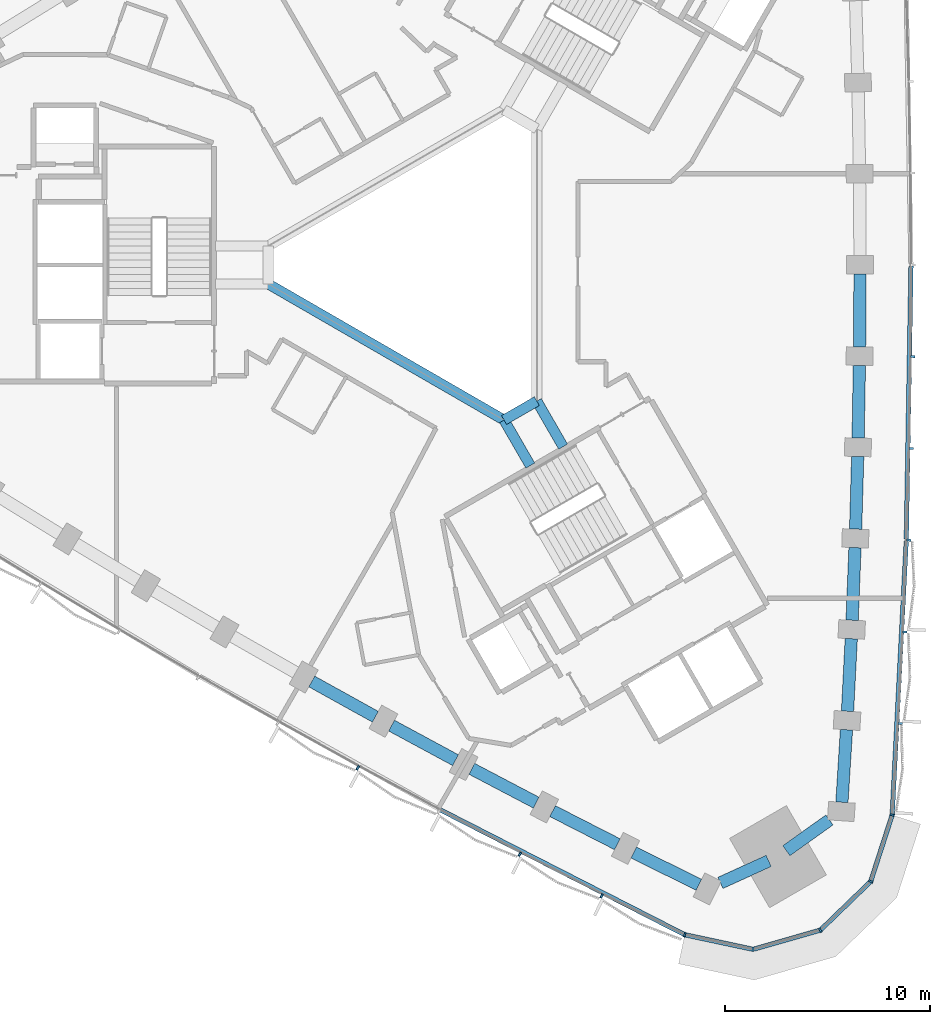
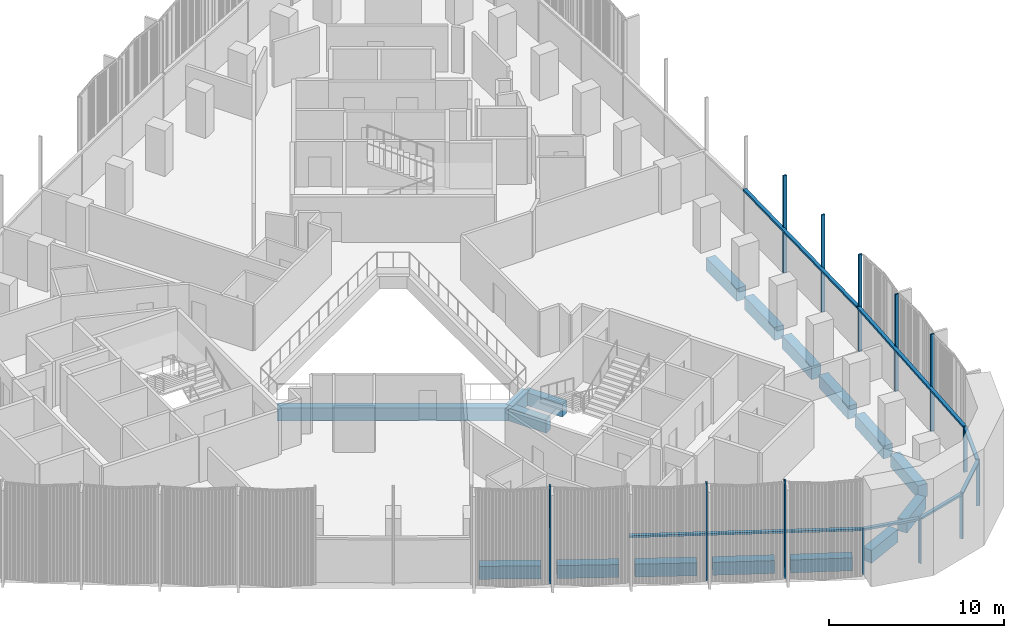
# One storey, part 3 of 15: 20 members, 17 beams, 2 elements without a shape of their own.
"""IFC4 building model written with IfcOpenShell, lengths in metres."""

from ifc_helpers import new_model, si_unit, direction, frame, origin, origin_2d, place, context, subcontext, project, spatial, rectangle, extrude, material, material_profile, profile_set, type_object, element, aggregate, save


model = new_model("IFC4")

# Units and contexts
model_context = context("Model", 3, precision=1e-05, world=origin(), true_north=direction((0.0, 1.0)))
body_context = subcontext(model_context, "Body", "Model", "MODEL_VIEW")
ifc_project = project(units=[si_unit("LENGTHUNIT", "METRE"), si_unit("AREAUNIT", "SQUARE_METRE"), si_unit("VOLUMEUNIT", "CUBIC_METRE"), si_unit("PLANEANGLEUNIT", "RADIAN"), si_unit("MASSUNIT", "GRAM", prefix="KILO")], contexts=[model_context])

# Site, building, storey
site_placement = place(None, origin())
site = spatial("IfcSite", under=ifc_project, at=site_placement, CompositionType="ELEMENT")
building_placement = place(site_placement, origin())
building = spatial("IfcBuilding", under=site, at=building_placement, Name="Tamra Quay Hotel Tower", CompositionType="ELEMENT")
storey_placement = place(building_placement, frame((0.0, 0.0, 101.0)))
storey = spatial("IfcBuildingStorey", under=building, at=storey_placement, Name="L24", CompositionType="ELEMENT", Elevation=101.0)

# Beams
ifc_material_1 = material(Name="Concrete M60", Category="concrete")
ifc_material_profile_1 = material_profile(ifc_material_1, rectangle(XDim=0.5, YDim=0.89990234375, at=origin_2d()), Name="ATRIUM EDGE BEAM RC 500x900")
ifc_profile_set_1 = profile_set([ifc_material_profile_1], Name="Concrete M60")
beam_type_1 = type_object("IfcBeamType", Name="ATRIUM EDGE BEAM RC 500x900", PredefinedType="BEAM", material=ifc_profile_set_1)
beam_1_placement = place(storey_placement, frame((4.89990234375, -6.639404296875, -0.875), z_axis=(-0.865989712182, -0.500061814573, 0.0), x_axis=(0.500061814573, -0.865989712182, 0.0)))
element("IfcBeam", 1, at=beam_1_placement, inside=storey, type_object=beam_type_1, Name="BM-AB1-L24", PredefinedType="BEAM", context=body_context, shape_type="SweptSolid", body=[
    extrude(rectangle(XDim=0.5, YDim=0.89990234375, at=origin_2d()), origin(), (0.0, 0.0, 1.0), 1.847412109375),
])
beam_2_placement = place(storey_placement, frame((3.300048828125, -7.563232421875, -0.875), z_axis=(-0.866029440693, 0.499993007805, 0.0), x_axis=(-0.499993007805, -0.866029440693, 0.0)))
element("IfcBeam", 2, at=beam_2_placement, inside=storey, type_object=beam_type_1, Name="BM-AB2-L24", PredefinedType="BEAM", context=body_context, shape_type="SweptSolid", body=[
    extrude(rectangle(XDim=0.5, YDim=0.89990234375, at=origin_2d()), origin(), (0.0, 0.0, 1.0), 13.279052734375),
])
ifc_material_profile_2 = material_profile(ifc_material_1, rectangle(XDim=0.5, YDim=0.89990234375, at=origin_2d()), Name="ATRIUM TIE BEAM RC 500x900")
ifc_profile_set_2 = profile_set([ifc_material_profile_2], Name="Concrete M60")
beam_type_2 = type_object("IfcBeamType", Name="ATRIUM TIE BEAM RC 500x900", PredefinedType="BEAM", material=ifc_profile_set_2)
for number, where, z_axis, x_axis, name in (
    (3, (4.89990234375, -6.639404296875, -0.875), (0.50003311468, -0.866006284171, 0.0), (0.866006284171, 0.50003311468, 0.0), "BM-TIE-1-L24"),
    (4, (3.300048828125, -7.563232421875, -0.875), (0.499961652204, -0.866047542763, 0.0), (0.866047542763, 0.499961652204, 0.0), "BM-TIE-2-L24"),
):
    element("IfcBeam", number, at=place(storey_placement, frame(where, z_axis=z_axis, x_axis=x_axis)), inside=storey, type_object=beam_type_2, Name=name, PredefinedType="BEAM", context=body_context, shape_type="SweptSolid", body=[
        extrude(rectangle(XDim=0.5, YDim=0.89990234375, at=origin_2d()), origin(), (0.0, 0.0, 1.0), 2.562255859375),
    ])

# Curtain wall, members
ifc_material_2 = material(Name="Aluminium 6063 anodised dark grey", Category="aluminium")
curtain_wall_type_1 = type_object("IfcCurtainWallType", Name="CW1 CURTAIN WALL", PredefinedType="NOTDEFINED", material=ifc_material_2)
curtain_wall_1_placement = place(storey_placement, origin())
curtain_wall_1 = element("IfcCurtainWall", 5, at=curtain_wall_1_placement, inside=storey, type_object=curtain_wall_type_1, Name="CW1 east face L24", PredefinedType="NOTDEFINED")
ifc_material_profile_3 = material_profile(ifc_material_2, rectangle(XDim=0.219970703125, YDim=0.10009765625, at=origin_2d()), Name="MULLION 100X220")
ifc_profile_set_3 = profile_set([ifc_material_profile_3], Name="Aluminium 6063 anodised dark grey")
member_type_1 = type_object("IfcMemberType", Name="MULLION CW1 Z2", PredefinedType="MULLION", material=ifc_profile_set_3)
member_1_placement = place(storey_placement, frame((22.226318359375, -26.81787109375, 0.0), z_axis=(0.0, 0.0, 1.0), x_axis=(0.982419091866, -0.186688853275, 0.0)))
member_1 = element("IfcMember", 6, at=member_1_placement, type_object=member_type_1, Name="CW1 mullion L24.E.1", PredefinedType="MULLION", context=body_context, shape_type="SweptSolid", body=[
    extrude(rectangle(XDim=0.219970703125, YDim=0.10009765625, at=origin_2d()), origin(), (0.0, 0.0, 1.0), 3.175048828125),
])
member_2_placement = place(storey_placement, frame((22.616455078125, -22.3603515625, 0.0), z_axis=(0.0, 0.0, 1.0), x_axis=(0.998374392587, -0.056996247479, 0.0)))
member_2 = element("IfcMember", 7, at=member_2_placement, type_object=member_type_1, Name="CW1 mullion L24.E.2", PredefinedType="MULLION", context=body_context, shape_type="SweptSolid", body=[
    extrude(rectangle(XDim=0.219970703125, YDim=0.10009765625, at=origin_2d()), origin(), (0.0, 0.0, 1.0), 6.77490234375),
])
member_3_placement = place(storey_placement, frame((22.84619140625, -17.891845703125, 0.0), z_axis=(0.0, 0.0, 1.0), x_axis=(0.998958269731, -0.045633050909, 0.0)))
member_3 = element("IfcMember", 8, at=member_3_placement, type_object=member_type_1, Name="CW1 mullion L24.E.3", PredefinedType="MULLION", context=body_context, shape_type="SweptSolid", body=[
    extrude(rectangle(XDim=0.219970703125, YDim=0.10009765625, at=origin_2d()), origin(), (0.0, 0.0, 1.0), 6.77490234375),
])
member_4_placement = place(storey_placement, frame((23.02490234375, -13.4208984375, 0.0), z_axis=(0.0, 0.0, 1.0), x_axis=(0.999413445306, -0.034245661637, 0.0)))
member_4 = element("IfcMember", 9, at=member_4_placement, type_object=member_type_1, Name="CW1 mullion L24.E.4", PredefinedType="MULLION", context=body_context, shape_type="SweptSolid", body=[
    extrude(rectangle(XDim=0.219970703125, YDim=0.10009765625, at=origin_2d()), origin(), (0.0, 0.0, 1.0), 6.77490234375),
])
member_5_placement = place(storey_placement, frame((23.152587890625, -8.9482421875, 0.0), z_axis=(0.0, 0.0, 1.0), x_axis=(0.99973912156, -0.022840508384, 0.0)))
member_5 = element("IfcMember", 10, at=member_5_placement, type_object=member_type_1, Name="CW1 mullion L24.E.5", PredefinedType="MULLION", context=body_context, shape_type="SweptSolid", body=[
    extrude(rectangle(XDim=0.219970703125, YDim=0.10009765625, at=origin_2d()), origin(), (0.0, 0.0, 1.0), 6.77490234375),
])
member_6_placement = place(storey_placement, frame((23.229248046875, -4.474365234375, 0.0), z_axis=(0.0, 0.0, 1.0), x_axis=(0.999934749621, -0.011423506449, 0.0)))
member_6 = element("IfcMember", 11, at=member_6_placement, type_object=member_type_1, Name="CW1 mullion L24.E.6", PredefinedType="MULLION", context=body_context, shape_type="SweptSolid", body=[
    extrude(rectangle(XDim=0.219970703125, YDim=0.10009765625, at=origin_2d()), origin(), (0.0, 0.0, 1.0), 6.77490234375),
])

curtain_wall_type_2 = type_object("IfcCurtainWallType", Name="CW3 CURTAIN WALL", PredefinedType="NOTDEFINED", material=ifc_material_2)
curtain_wall_2_placement = place(storey_placement, origin())
curtain_wall_2 = element("IfcCurtainWall", 12, at=curtain_wall_2_placement, inside=storey, type_object=curtain_wall_type_2, Name="CW3 south-west face L24", PredefinedType="NOTDEFINED")
ifc_material_profile_4 = material_profile(ifc_material_2, rectangle(XDim=0.219970703125, YDim=0.10009765625, at=origin_2d()), Name="MULLION 100X220")
ifc_profile_set_4 = profile_set([ifc_material_profile_4], Name="Aluminium 6063 anodised dark grey")
member_type_2 = type_object("IfcMemberType", Name="MULLION CW3 Z2", PredefinedType="MULLION", material=ifc_profile_set_4)
member_7_placement = place(storey_placement, frame((-3.826904296875, -24.52490234375, 0.0), z_axis=(0.0, 0.0, 1.0), x_axis=(-0.480089100284, -0.87721973062, 0.0)))
member_7 = element("IfcMember", 13, at=member_7_placement, type_object=member_type_2, Name="CW3 mullion L24.SW.9", PredefinedType="MULLION", context=body_context, shape_type="SweptSolid", body=[
    extrude(rectangle(XDim=0.219970703125, YDim=0.10009765625, at=origin_2d()), origin(), (0.0, 0.0, 1.0), 6.77490234375),
])
member_8_placement = place(storey_placement, frame((4.07177734375, -28.731201171875, 0.0), z_axis=(0.0, 0.0, 1.0), x_axis=(-0.459959753526, -0.887939764362, 0.0)))
member_8 = element("IfcMember", 14, at=member_8_placement, type_object=member_type_2, Name="CW3 mullion L24.SW.11", PredefinedType="MULLION", context=body_context, shape_type="SweptSolid", body=[
    extrude(rectangle(XDim=0.219970703125, YDim=0.10009765625, at=origin_2d()), origin(), (0.0, 0.0, 1.0), 6.77490234375),
])
member_9_placement = place(storey_placement, frame((8.056396484375, -30.7666015625, 0.0), z_axis=(0.0, 0.0, 1.0), x_axis=(-0.449826998056, -0.893115710208, 0.0)))
member_9 = element("IfcMember", 15, at=member_9_placement, type_object=member_type_2, Name="CW3 mullion L24.SW.12", PredefinedType="MULLION", context=body_context, shape_type="SweptSolid", body=[
    extrude(rectangle(XDim=0.219970703125, YDim=0.10009765625, at=origin_2d()), origin(), (0.0, 0.0, 1.0), 6.77490234375),
])
member_10_placement = place(storey_placement, frame((12.111572265625, -32.657470703125, 0.0), z_axis=(0.0, 0.0, 1.0), x_axis=(-0.329532256394, -0.944144317356, 0.0)))
member_10 = element("IfcMember", 16, at=member_10_placement, type_object=member_type_2, Name="CW3 mullion L24.SW.13", PredefinedType="MULLION", context=body_context, shape_type="SweptSolid", body=[
    extrude(rectangle(XDim=0.219970703125, YDim=0.10009765625, at=origin_2d()), origin(), (0.0, 0.0, 1.0), 3.175048828125),
])
member_11_placement = place(storey_placement, frame((15.4462890625, -33.370849609375, 0.0), z_axis=(0.0, 0.0, 1.0), x_axis=(0.03404070031, -0.999420447421, 0.0)))
member_11 = element("IfcMember", 17, at=member_11_placement, type_object=member_type_2, Name="CW3 mullion L24.SW.14", PredefinedType="MULLION", context=body_context, shape_type="SweptSolid", body=[
    extrude(rectangle(XDim=0.219970703125, YDim=0.10009765625, at=origin_2d()), origin(), (0.0, 0.0, 1.0), 3.175048828125),
])
member_12_placement = place(storey_placement, frame((18.724853515625, -32.43212890625, 0.0), z_axis=(0.0, 0.0, 1.0), x_axis=(0.5, -0.866025403784, 0.0)))
member_12 = element("IfcMember", 18, at=member_12_placement, type_object=member_type_2, Name="CW3 mullion L24.SW.15", PredefinedType="MULLION", context=body_context, shape_type="SweptSolid", body=[
    extrude(rectangle(XDim=0.219970703125, YDim=0.10009765625, at=origin_2d()), origin(), (0.0, 0.0, 1.0), 3.175048828125),
])
member_13_placement = place(storey_placement, frame((21.1767578125, -30.062255859375, 0.0), z_axis=(0.0, 0.0, 1.0), x_axis=(0.848503146373, -0.529190334941, 0.0)))
member_13 = element("IfcMember", 19, at=member_13_placement, type_object=member_type_2, Name="CW3 mullion L24.SW.16", PredefinedType="MULLION", context=body_context, shape_type="SweptSolid", body=[
    extrude(rectangle(XDim=0.219970703125, YDim=0.10009765625, at=origin_2d()), origin(), (0.0, 0.0, 1.0), 3.175048828125),
])

# Beams
ifc_material_profile_5 = material_profile(ifc_material_1, rectangle(XDim=0.60009765625, YDim=0.89990234375, at=origin_2d()), Name="SPANDREL BEAM RC 600x900")
ifc_profile_set_5 = profile_set([ifc_material_profile_5], Name="Concrete M60")
beam_type_3 = type_object("IfcBeamType", Name="SPANDREL BEAM RC 600x900", PredefinedType="SPANDREL", material=ifc_profile_set_5)
beam_3_placement = place(storey_placement, frame((19.7744140625, -26.199462890625, -0.875), z_axis=(0.062669833409, 0.99803431403, 0.0), x_axis=(-0.99803431403, 0.062669833409, 0.0)))
element("IfcBeam", 20, at=beam_3_placement, inside=storey, type_object=beam_type_3, Name="BM-SP2-000-L24", PredefinedType="SPANDREL", context=body_context, shape_type="SweptSolid", body=[
    extrude(rectangle(XDim=0.60009765625, YDim=0.89990234375, at=origin_2d()), origin(), (0.0, 0.0, 1.0), 3.545166015625),
])
beam_4_placement = place(storey_placement, frame((20.048095703125, -21.7626953125, -0.875), z_axis=(0.051311627905, 0.998682690769, 0.0), x_axis=(-0.998682690769, 0.051311627905, 0.0)))
element("IfcBeam", 21, at=beam_4_placement, inside=storey, type_object=beam_type_3, Name="BM-SP2-001-L24", PredefinedType="SPANDREL", context=body_context, shape_type="SweptSolid", body=[
    extrude(rectangle(XDim=0.60009765625, YDim=0.89990234375, at=origin_2d()), origin(), (0.0, 0.0, 1.0), 3.544677734375),
])
for number, where, z_axis, x_axis, name in (
    (22, (20.27099609375, -17.323486328125, -0.875), (0.039946034354, 0.999201838639, 0.0), (-0.999201838639, 0.039946034354, 0.0), "BM-SP2-002-L24"),
    (23, (20.443359375, -12.882080078125, -0.875), (0.02858140136, 0.999591468299, 0.0), (-0.999591468299, 0.02858140136, 0.0), "BM-SP2-003-L24"),
):
    element("IfcBeam", number, at=place(storey_placement, frame(where, z_axis=z_axis, x_axis=x_axis)), inside=storey, type_object=beam_type_3, Name=name, PredefinedType="SPANDREL", context=body_context, shape_type="SweptSolid", body=[
        extrude(rectangle(XDim=0.60009765625, YDim=0.89990234375, at=origin_2d()), origin(), (0.0, 0.0, 1.0), 3.544921875),
    ])
beam_5_placement = place(storey_placement, frame((20.565185546875, -8.43896484375, -0.875), z_axis=(0.017149781635, 0.99985293168, 0.0), x_axis=(-0.99985293168, 0.017149781635, 0.0)))
element("IfcBeam", 24, at=beam_5_placement, inside=storey, type_object=beam_type_3, Name="BM-SP2-004-L24", PredefinedType="SPANDREL", context=body_context, shape_type="SweptSolid", body=[
    extrude(rectangle(XDim=0.60009765625, YDim=0.89990234375, at=origin_2d()), origin(), (0.0, 0.0, 1.0), 3.544677734375),
])
for number, where, z_axis, x_axis, name in (
    (25, (20.63623046875, -3.994873046875, -0.875), (0.005716160055, 0.999983662624, 0.0), (-0.999983662624, 0.005716160055, 0.0), "BM-SP2-005-L24"),
    (26, (-6.073974609375, -20.309814453125, -0.875), (0.874475461638, -0.48506975477, 0.0), (0.48506975477, 0.874475461638, 0.0), "BM-SP2-035-L24"),
    (27, (-2.184814453125, -22.46142578125, -0.875), (0.879950887438, -0.475064664753, 0.0), (0.475064664753, 0.879950887438, 0.0), "BM-SP2-036-L24"),
):
    element("IfcBeam", number, at=place(storey_placement, frame(where, z_axis=z_axis, x_axis=x_axis)), inside=storey, type_object=beam_type_3, Name=name, PredefinedType="SPANDREL", context=body_context, shape_type="SweptSolid", body=[
        extrude(rectangle(XDim=0.60009765625, YDim=0.89990234375, at=origin_2d()), origin(), (0.0, 0.0, 1.0), 3.544921875),
    ])
beam_6_placement = place(storey_placement, frame((1.72900390625, -24.568603515625, -0.875), z_axis=(0.885322773021, -0.464976975312, 0.0), x_axis=(0.464976975312, 0.885322773021, 0.0)))
element("IfcBeam", 28, at=beam_6_placement, inside=storey, type_object=beam_type_3, Name="BM-SP2-037-L24", PredefinedType="SPANDREL", context=body_context, shape_type="SweptSolid", body=[
    extrude(rectangle(XDim=0.60009765625, YDim=0.89990234375, at=origin_2d()), origin(), (0.0, 0.0, 1.0), 3.544677734375),
])
beam_7_placement = place(storey_placement, frame((5.666259765625, -26.630859375, -0.875), z_axis=(0.890551251107, -0.45488291807, 0.0), x_axis=(0.45488291807, 0.890551251107, 0.0)))
element("IfcBeam", 29, at=beam_7_placement, inside=storey, type_object=beam_type_3, Name="BM-SP2-038-L24", PredefinedType="SPANDREL", context=body_context, shape_type="SweptSolid", body=[
    extrude(rectangle(XDim=0.60009765625, YDim=0.89990234375, at=origin_2d()), origin(), (0.0, 0.0, 1.0), 3.544921875),
])
beam_8_placement = place(storey_placement, frame((9.626953125, -28.648193359375, -0.875), z_axis=(0.895622275285, -0.444815399928, 0.0), x_axis=(0.444815399928, 0.895622275285, 0.0)))
element("IfcBeam", 30, at=beam_8_placement, inside=storey, type_object=beam_type_3, Name="BM-SP2-039-L24", PredefinedType="SPANDREL", context=body_context, shape_type="SweptSolid", body=[
    extrude(rectangle(XDim=0.60009765625, YDim=0.89990234375, at=origin_2d()), origin(), (0.0, 0.0, 1.0), 3.545166015625),
])
for number, where, z_axis, x_axis, name in (
    (31, (13.8505859375, -30.130615234375, -0.875), (0.909819048293, 0.415005179923, 0.0), (-0.415005179923, 0.909819048293, 0.0), "BM-SP2-040-L24"),
    (32, (17.063720703125, -28.560546875, -0.875), (0.814339289036, 0.580389112865, 0.0), (-0.580389112865, 0.814339289036, 0.0), "BM-SP2-041-L24"),
):
    element("IfcBeam", number, at=place(storey_placement, frame(where, z_axis=z_axis, x_axis=x_axis)), inside=storey, type_object=beam_type_3, Name=name, PredefinedType="SPANDREL", context=body_context, shape_type="SweptSolid", body=[
        extrude(rectangle(XDim=0.60009765625, YDim=0.89990234375, at=origin_2d()), origin(), (0.0, 0.0, 1.0), 2.5849609375),
    ])

# Member
ifc_material_profile_6 = material_profile(ifc_material_2, rectangle(XDim=0.219970703125, YDim=0.139892578125, at=origin_2d()), Name="TRANSOM 220X140")
ifc_profile_set_6 = profile_set([ifc_material_profile_6], Name="Aluminium 6063 anodised dark grey")
member_type_3 = type_object("IfcMemberType", Name="TRANSOM CW1 Z2", PredefinedType="USERDEFINED", material=ifc_profile_set_6)
member_14_placement = place(storey_placement, frame((22.2294921875, -26.767822265625, 3.10498046875), z_axis=(0.051309919366, 0.998682778551, 0.0), x_axis=(-0.998682778551, 0.051309919366, 0.0)))
member_14 = element("IfcMember", 33, at=member_14_placement, type_object=member_type_3, Name="CW1 transom L24.E.1", ObjectType="TRANSOM", PredefinedType="USERDEFINED", context=body_context, shape_type="SweptSolid", body=[
    extrude(rectangle(XDim=0.219970703125, YDim=0.139892578125, at=origin_2d()), origin(), (0.0, 0.0, 1.0), 13.318115234375),
])

member_15_placement = place(storey_placement, frame((22.916259765625, -13.3671875, 3.10498046875), z_axis=(0.017138663343, 0.999853122323, 0.0), x_axis=(-0.999853122323, 0.017138663343, 0.0)))
member_15 = element("IfcMember", 34, at=member_15_placement, type_object=member_type_3, Name="CW1 transom L24.E.4", ObjectType="TRANSOM", PredefinedType="USERDEFINED", context=body_context, shape_type="SweptSolid", body=[
    extrude(rectangle(XDim=0.219970703125, YDim=0.139892578125, at=origin_2d()), origin(), (0.0, 0.0, 1.0), 13.319091796875),
])

aggregate(curtain_wall_1, [member_1, member_14, member_2, member_3, member_4, member_15, member_5, member_6])

ifc_material_profile_7 = material_profile(ifc_material_2, rectangle(XDim=0.219970703125, YDim=0.139892578125, at=origin_2d()), Name="TRANSOM 220X140")
ifc_profile_set_7 = profile_set([ifc_material_profile_7], Name="Aluminium 6063 anodised dark grey")
member_type_4 = type_object("IfcMemberType", Name="TRANSOM CW3 Z2", PredefinedType="USERDEFINED", material=ifc_profile_set_7)
member_16_placement = place(storey_placement, frame((0.20654296875, -26.57666015625, 3.10498046875), z_axis=(0.890537010915, -0.45491079586, 0.0), x_axis=(0.45491079586, 0.890537010915, 0.0)))
member_16 = element("IfcMember", 35, at=member_16_placement, type_object=member_type_4, Name="CW3 transom L24.SW.10", ObjectType="TRANSOM", PredefinedType="USERDEFINED", context=body_context, shape_type="SweptSolid", body=[
    extrude(rectangle(XDim=0.219970703125, YDim=0.139892578125, at=origin_2d()), origin(), (0.0, 0.0, 1.0), 13.318115234375),
])

member_17_placement = place(storey_placement, frame((12.16064453125, -32.66796875, 3.10498046875), z_axis=(0.977877907042, -0.209176477928, 0.0), x_axis=(0.209176477928, 0.977877907042, 0.0)))
member_17 = element("IfcMember", 36, at=member_17_placement, type_object=member_type_4, Name="CW3 transom L24.SW.13", ObjectType="TRANSOM", PredefinedType="USERDEFINED", context=body_context, shape_type="SweptSolid", body=[
    extrude(rectangle(XDim=0.219970703125, YDim=0.139892578125, at=origin_2d()), origin(), (0.0, 0.0, 1.0), 3.31005859375),
])

member_18_placement = place(storey_placement, frame((15.494384765625, -33.35693359375, 3.10498046875), z_axis=(0.961393028347, 0.275178932778, 0.0), x_axis=(-0.275178932778, 0.961393028347, 0.0)))
member_18 = element("IfcMember", 37, at=member_18_placement, type_object=member_type_4, Name="CW3 transom L24.SW.14", ObjectType="TRANSOM", PredefinedType="USERDEFINED", context=body_context, shape_type="SweptSolid", body=[
    extrude(rectangle(XDim=0.219970703125, YDim=0.139892578125, at=origin_2d()), origin(), (0.0, 0.0, 1.0), 3.31005859375),
])

member_19_placement = place(storey_placement, frame((18.7607421875, -32.3974609375, 3.10498046875), z_axis=(0.719063315741, 0.694944564664, 0.0), x_axis=(-0.694944564664, 0.719063315741, 0.0)))
member_19 = element("IfcMember", 38, at=member_19_placement, type_object=member_type_4, Name="CW3 transom L24.SW.15", ObjectType="TRANSOM", PredefinedType="USERDEFINED", context=body_context, shape_type="SweptSolid", body=[
    extrude(rectangle(XDim=0.219970703125, YDim=0.139892578125, at=origin_2d()), origin(), (0.0, 0.0, 1.0), 3.31005859375),
])

member_20_placement = place(storey_placement, frame((21.192138671875, -30.0146484375, 3.10498046875), z_axis=(0.307784937637, 0.951455953875, 0.0), x_axis=(-0.951455953875, 0.307784937637, 0.0)))
member_20 = element("IfcMember", 39, at=member_20_placement, type_object=member_type_4, Name="CW3 transom L24.SW.16", ObjectType="TRANSOM", PredefinedType="USERDEFINED", context=body_context, shape_type="SweptSolid", body=[
    extrude(rectangle(XDim=0.219970703125, YDim=0.139892578125, at=origin_2d()), origin(), (0.0, 0.0, 1.0), 3.31005859375),
])

aggregate(curtain_wall_2, [member_7, member_16, member_8, member_9, member_10, member_17, member_11, member_18, member_12, member_19, member_13, member_20])

save(model, "model.ifc")
